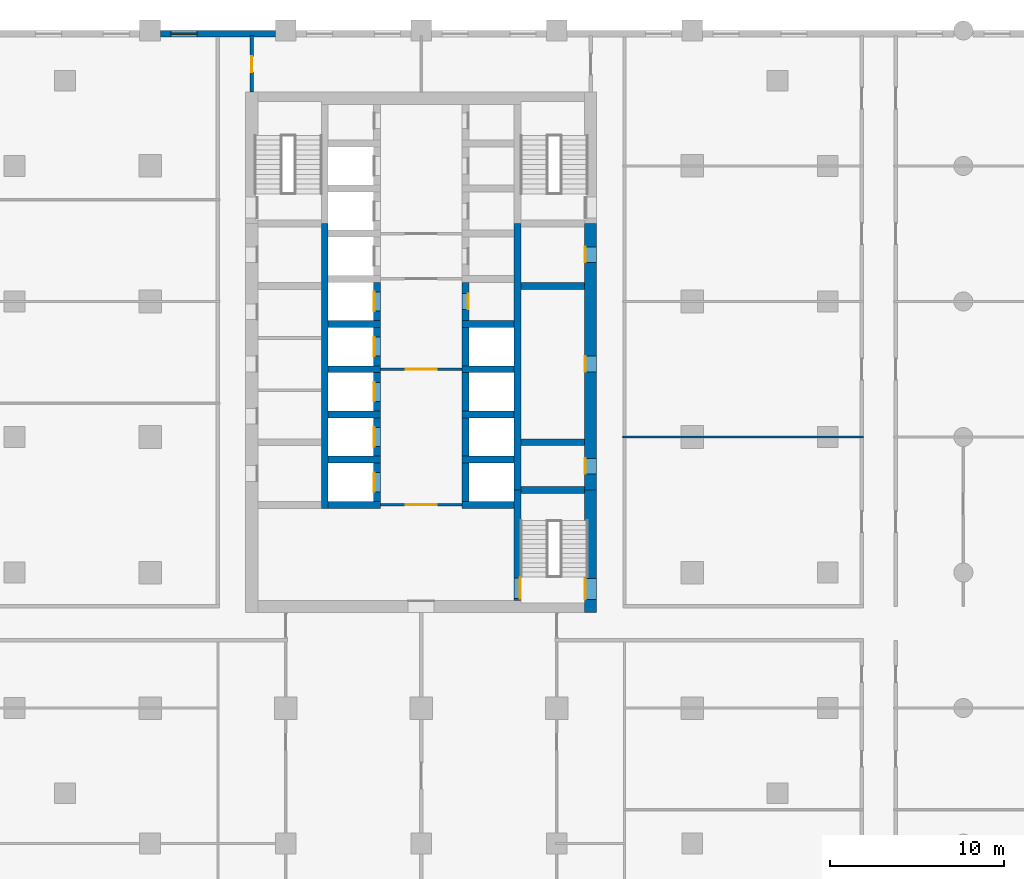
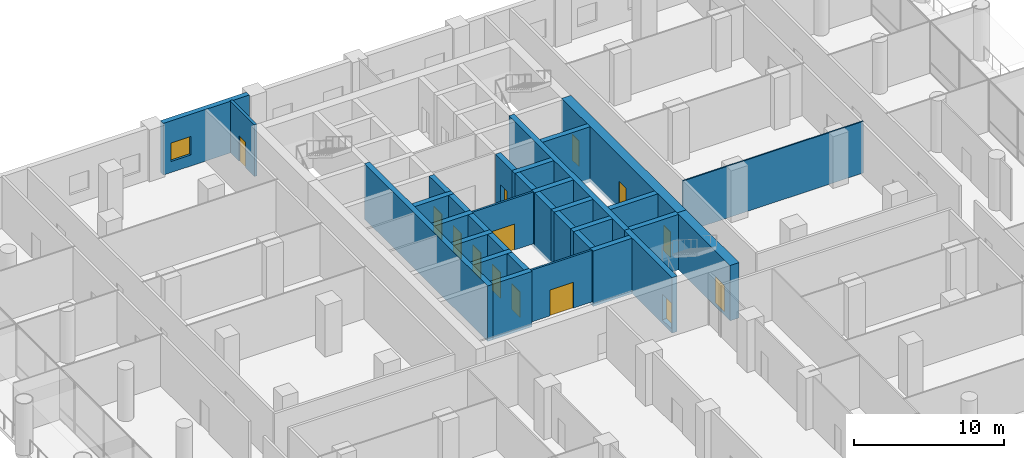
# One storey, part 12 of 24: 33 walls, 14 doors, 1 window, 15 openings.
"""IFC4 building model written with IfcOpenShell, lengths in metres."""

import ifcopenshell
import ifcopenshell.guid

model = None  # the IFC model being written
_history = None  # IfcOwnerHistory: only IFC2X3 demands one
_inside = {}  # id of a spatial element -> (the spatial element, [elements in it])
_under = {}  # id of a project, library or spatial element -> (it, [spatial elements below it])
_declared = {}  # id of a project -> (the project, [libraries it declares])
_typed = {}  # id of a type object -> (the type object, [elements of that type])
_made_of = {}  # id of a material, layer set ... -> (it, [elements and type objects made of it])


def new_model(schema):
    """Start an empty IFC model of exactly this schema.

    Asked for "IFC4X3", IfcOpenShell would pick the latest addendum, in which some entities
    have other attributes; the version numbers below select the first issue.
    IFC2X3 requires an IfcOwnerHistory on every rooted entity: one is made here for all.
    """
    global model, _history
    if schema == "IFC4X3":
        model = ifcopenshell.file(schema_version=(4, 3, 0, 0))
    else:
        model = ifcopenshell.file(schema=schema)
    _inside.clear()
    _under.clear()
    _declared.clear()
    _typed.clear()
    _made_of.clear()
    _history = None
    if model.schema == "IFC2X3":
        org = make("IfcOrganization", Name="unknown")
        user = make(
            "IfcPersonAndOrganization",
            ThePerson=make("IfcPerson", FamilyName="unknown"),
            TheOrganization=org,
        )
        app = make(
            "IfcApplication",
            ApplicationDeveloper=org,
            Version="unknown",
            ApplicationFullName="unknown",
            ApplicationIdentifier="unknown",
        )
        _history = make(
            "IfcOwnerHistory",
            OwningUser=user,
            OwningApplication=app,
            ChangeAction="ADDED",
            CreationDate=0,
        )
    return model


def make(cls, **values):
    """One entity of the class cls with the attributes given. An attribute that is None is left unset."""
    return model.create_entity(
        cls, **{name: value for name, value in values.items() if value is not None}
    )


def rooted(cls, **values):
    """An entity with a GlobalId (a new one), such as an element, a storey or a relation."""
    return make(cls, GlobalId=ifcopenshell.guid.new(), OwnerHistory=_history, **values)


def si_unit(unit_type, name, prefix=None):
    """IfcSIUnit, for example si_unit("LENGTHUNIT", "METRE", prefix="MILLI")."""
    return make("IfcSIUnit", UnitType=unit_type, Prefix=prefix, Name=name)


def assignment(units):
    """IfcUnitAssignment: the units of a project."""
    return None if units is None else make("IfcUnitAssignment", Units=units)


def point(xyz):
    """IfcCartesianPoint."""
    return None if xyz is None else make("IfcCartesianPoint", Coordinates=xyz)


def direction(xyz):
    """IfcDirection."""
    return None if xyz is None else make("IfcDirection", DirectionRatios=xyz)


def frame(location, z_axis=None, x_axis=None):
    """IfcAxis2Placement3D, a coordinate frame: its origin and axes. An axis left out is left unset."""
    return make(
        "IfcAxis2Placement3D",
        Location=point(location),
        Axis=direction(z_axis),
        RefDirection=direction(x_axis),
    )


def frame_2d(location, x_axis=None):
    """IfcAxis2Placement2D, a coordinate frame in the plane: its origin and x axis."""
    return make(
        "IfcAxis2Placement2D", Location=point(location), RefDirection=direction(x_axis)
    )


def origin():
    """The frame at (0, 0, 0) with its axes left unset."""
    return frame((0.0, 0.0, 0.0))


def place(relative_to, where):
    """IfcLocalPlacement: puts the frame where relative to a parent placement (None: the world)."""
    return make(
        "IfcLocalPlacement", PlacementRelTo=relative_to, RelativePlacement=where
    )


def context(
    kind, dimensions, precision=None, world=None, true_north=None, identifier=None
):
    """IfcGeometricRepresentationContext, for example the 3D "Model" context."""
    return make(
        "IfcGeometricRepresentationContext",
        ContextIdentifier=identifier,
        ContextType=kind,
        CoordinateSpaceDimension=dimensions,
        Precision=precision,
        WorldCoordinateSystem=world,
        TrueNorth=true_north,
    )


def subcontext(parent, identifier, kind, view, scale=None):
    """IfcGeometricRepresentationSubContext, for example "Body" below "Model"."""
    return make(
        "IfcGeometricRepresentationSubContext",
        ContextIdentifier=identifier,
        ContextType=kind,
        ParentContext=parent,
        TargetScale=scale,
        TargetView=view,
    )


def project(units=None, contexts=None):
    """IfcProject with its units and contexts."""
    return rooted(
        "IfcProject",
        Name="project",
        RepresentationContexts=contexts,
        UnitsInContext=assignment(units),
    )


def spatial(cls, under=None, at=None, **own):
    """A site, building, storey or space (cls), placed at a placement, below another one or the project."""
    s = rooted(cls, ObjectPlacement=at, **own)
    if under is not None:
        _under.setdefault(under.id(), (under, []))[1].append(s)
    return s


def profile(cls, at=None, kind="AREA", **sizes):
    """A parametric profile (cls). Its sizes go by their IFC names, for example OverallWidth=200.0."""
    return make(cls, ProfileType=kind, Position=at, **sizes)


def rectangle(**sizes):
    """IfcRectangleProfileDef."""
    return profile("IfcRectangleProfileDef", **sizes)


def extrude(swept, where, along, depth):
    """IfcExtrudedAreaSolid: the profile swept, set in the frame where, extruded along a direction by depth."""
    return make(
        "IfcExtrudedAreaSolid",
        SweptArea=swept,
        Position=where,
        ExtrudedDirection=direction(along),
        Depth=depth,
    )


def shape(context_of_items, identifier, shape_type, items):
    """IfcShapeRepresentation: the items that make up one representation, for example the "Body"."""
    return make(
        "IfcShapeRepresentation",
        ContextOfItems=context_of_items,
        RepresentationIdentifier=identifier,
        RepresentationType=shape_type,
        Items=items,
    )


def material(Name=None, Category=None):
    """IfcMaterial."""
    return make("IfcMaterial", Name=Name, Category=Category)


def layer(
    of_material, thickness, ventilated=None, Name=None, Category=None, Priority=None
):
    """IfcMaterialLayer: one layer of a wall or slab, of a material (None: an air gap)."""
    return make(
        "IfcMaterialLayer",
        Material=of_material,
        LayerThickness=thickness,
        IsVentilated=ventilated,
        Name=Name,
        Category=Category,
        Priority=Priority,
    )


def layer_set(layers, Name=None):
    """IfcMaterialLayerSet."""
    return make("IfcMaterialLayerSet", MaterialLayers=layers, LayerSetName=Name)


def made_of(thing, what):
    """Note that an element or type object is made of a material, layer set ...; save() writes the relation."""
    if what is not None:
        _made_of.setdefault(what.id(), (what, []))[1].append(thing)
    return thing


def type_object(cls, material=None, **own):
    """A type object (cls), such as IfcWallType, which elements share."""
    return made_of(rooted(cls, **own), material)


def element(
    cls,
    number,
    at=None,
    inside=None,
    cuts=None,
    type_object=None,
    material=None,
    context=None,
    identifier="Body",
    shape_type=None,
    held_by="IfcProductDefinitionShape",
    body=None,
    shapes=None,
    **own,
):
    """One element of the class cls, such as IfcWall. Its Tag is "e" and its number.

    at: its placement. inside: the storey or other place that contains it. cuts: it is an
    opening in that element (IfcRelVoidsElement). A single representation is given by context,
    identifier, shape_type and body (its items); several are given by shapes. held_by: the class
    of the entity that holds the representations. save() writes the other relations.
    """
    e = rooted(cls, Tag="e%d" % number, ObjectPlacement=at, **own)
    if body is not None:
        shapes = [shape(context, identifier, shape_type, body)]
    if shapes is not None:
        e.Representation = make(held_by, Representations=shapes)
    if inside is not None:
        _inside.setdefault(inside.id(), (inside, []))[1].append(e)
    if cuts is not None:
        rooted(
            "IfcRelVoidsElement", RelatingBuildingElement=cuts, RelatedOpeningElement=e
        )
    if type_object is not None:
        _typed.setdefault(type_object.id(), (type_object, []))[1].append(e)
    return made_of(e, material)


def fill(opening, filler):
    """IfcRelFillsElement: the door or window that sits in an opening."""
    return rooted(
        "IfcRelFillsElement",
        RelatingOpeningElement=opening,
        RelatedBuildingElement=filler,
    )


def aggregate(whole, parts):
    """IfcRelAggregates: a whole, such as a stair, and the parts it consists of."""
    return rooted("IfcRelAggregates", RelatingObject=whole, RelatedObjects=parts)


def save(model, path):
    """Write the relations noted so far, then the file.

    IfcRelAggregates (storeys below a building ...), IfcRelContainedInSpatialStructure (elements
    in a storey), IfcRelDefinesByType, IfcRelAssociatesMaterial and IfcRelDeclares: one each for
    every whole, place, type object, material and project.
    """
    for whole, parts in _under.values():
        aggregate(whole, parts)
    for where, things in _inside.values():
        rooted(
            "IfcRelContainedInSpatialStructure",
            RelatedElements=things,
            RelatingStructure=where,
        )
    for kind, things in _typed.values():
        rooted("IfcRelDefinesByType", RelatedObjects=things, RelatingType=kind)
    for what, things in _made_of.values():
        rooted("IfcRelAssociatesMaterial", RelatedObjects=things, RelatingMaterial=what)
    for by, libraries in _declared.values():
        rooted("IfcRelDeclares", RelatingContext=by, RelatedDefinitions=libraries)
    model.write(path)


model = new_model("IFC4")

# Units and contexts
model_context = context("Model", 3, precision=1e-05, world=origin(), true_north=direction((0.0, 1.0)))
body_context = subcontext(model_context, "Body", "Model", "MODEL_VIEW")
ifc_project = project(units=[si_unit("LENGTHUNIT", "METRE"), si_unit("AREAUNIT", "SQUARE_METRE"), si_unit("VOLUMEUNIT", "CUBIC_METRE"), si_unit("PLANEANGLEUNIT", "RADIAN"), si_unit("MASSUNIT", "GRAM", prefix="KILO")], contexts=[model_context])

# Site, building, storey
site_placement = place(None, origin())
site = spatial("IfcSite", under=ifc_project, at=site_placement, CompositionType="ELEMENT")
building_placement = place(site_placement, origin())
building = spatial("IfcBuilding", under=site, at=building_placement, Name="Ludao Terraces", CompositionType="ELEMENT")
storey_placement = place(building_placement, frame((0.0, 0.0, 6.0)))
storey = spatial("IfcBuildingStorey", under=building, at=storey_placement, Name="L01", CompositionType="ELEMENT", Elevation=6.0)

# Wall, opening, door
ifc_material_1 = material(Name="Concrete C70", Category="concrete")
ifc_layer_1 = layer(ifc_material_1, 0.699951171875)
ifc_layer_set_1 = layer_set([ifc_layer_1], Name="Core wall 700 C70")
wall_type_1 = type_object("IfcWallType", Name="Core wall 700 C70", PredefinedType="SOLIDWALL", material=ifc_layer_set_1)
wall_1_placement = place(storey_placement, frame((94.75, 54.89990234375, -0.300048828125), z_axis=(0.0, 0.0, 1.0), x_axis=(0.0, 1.0, 0.0)))
wall_1 = element("IfcWall", 1, at=wall_1_placement, inside=storey, type_object=wall_type_1, Name="Core wall L01 outer-E-S3", PredefinedType="SOLIDWALL", context=body_context, shape_type="SweptSolid", body=[
    extrude(rectangle(XDim=7.050048828125, YDim=0.699951171875, at=frame_2d((3.52490234375, 0.0))), origin(), (0.0, 0.0, 1.0), 4.5),
])
opening_1_placement = place(wall_1_placement, frame((0.75, 0.0, 0.300048828125)))
opening_1 = element("IfcOpeningElement", 2, at=opening_1_placement, cuts=wall_1, Name="Opening L01-029", PredefinedType="OPENING", context=body_context, shape_type="SweptSolid", body=[
    extrude(rectangle(XDim=1.199951171875, YDim=2.10009765625, at=frame_2d((0.60009765625, 1.050048828125))), frame((0.0, 0.35986328125, 0.0), z_axis=(0.0, -1.0, 0.0), x_axis=(1.0, 0.0, 0.0)), (0.0, 0.0, 1.0), 0.719970703125),
])
ifc_material_2 = material(Name="Steel Q235", Category="steel")
door_type_1 = type_object("IfcDoorType", Name="INT Stair door 1200", OperationType="DOUBLE_DOOR_SINGLE_SWING", PredefinedType="DOOR", material=ifc_material_2)
door_1_placement = place(opening_1_placement, origin())
door_1 = element("IfcDoor", 3, at=door_1_placement, inside=storey, type_object=door_type_1, Name="DOOR 029", OperationType="DOUBLE_DOOR_SINGLE_SWING", OverallHeight=2.10009765625, OverallWidth=1.199951171875, PredefinedType="DOOR", context=body_context, shape_type="SweptSolid", body=[
    extrude(rectangle(XDim=1.199951171875, YDim=2.10009765625, at=frame_2d((0.60009765625, 1.050048828125))), frame((0.0, 0.3349609375, 0.0), z_axis=(0.0, -1.0, 0.0), x_axis=(1.0, 0.0, 0.0)), (0.0, 0.0, 1.0), 0.050048828125),
])
fill(opening_1, door_1)

# Wall, openings, doors
wall_2_placement = place(storey_placement, frame((94.75, 61.949951171875, -0.300048828125), z_axis=(0.0, 0.0, 1.0), x_axis=(0.0, 1.0, 0.0)))
wall_2 = element("IfcWall", 4, at=wall_2_placement, inside=storey, type_object=wall_type_1, Name="Core wall L01 outer-E", PredefinedType="SOLIDWALL", context=body_context, shape_type="SweptSolid", body=[
    extrude(rectangle(XDim=15.35009765625, YDim=0.699951171875, at=frame_2d((7.675048828125, 0.0))), origin(), (0.0, 0.0, 1.0), 4.5),
])
opening_2_placement = place(wall_2_placement, frame((0.925048828125, 0.0, 0.300048828125)))
opening_2 = element("IfcOpeningElement", 5, at=opening_2_placement, cuts=wall_2, Name="Opening L01-038", PredefinedType="OPENING", context=body_context, shape_type="SweptSolid", body=[
    extrude(rectangle(XDim=0.89990234375, YDim=2.10009765625, at=frame_2d((0.449951171875, 1.050048828125))), frame((0.0, 0.35986328125, 0.0), z_axis=(0.0, -1.0, 0.0), x_axis=(1.0, 0.0, 0.0)), (0.0, 0.0, 1.0), 0.719970703125),
])
opening_3_placement = place(wall_2_placement, frame((6.800048828125, 0.0, 0.300048828125)))
opening_3 = element("IfcOpeningElement", 6, at=opening_3_placement, cuts=wall_2, Name="Opening L01-046", PredefinedType="OPENING", context=body_context, shape_type="SweptSolid", body=[
    extrude(rectangle(XDim=0.89990234375, YDim=2.10009765625, at=frame_2d((0.449951171875, 1.050048828125))), frame((0.0, 0.35986328125, 0.0), z_axis=(0.0, -1.0, 0.0), x_axis=(1.0, 0.0, 0.0)), (0.0, 0.0, 1.0), 0.719970703125),
])
opening_4_placement = place(wall_2_placement, frame((13.10009765625, 0.0, 0.300048828125)))
opening_4 = element("IfcOpeningElement", 7, at=opening_4_placement, cuts=wall_2, Name="Opening L01-057", PredefinedType="OPENING", context=body_context, shape_type="SweptSolid", body=[
    extrude(rectangle(XDim=0.89990234375, YDim=2.10009765625, at=frame_2d((0.449951171875, 1.050048828125))), frame((0.0, 0.35986328125, 0.0), z_axis=(0.0, -1.0, 0.0), x_axis=(1.0, 0.0, 0.0)), (0.0, 0.0, 1.0), 0.719970703125),
])
door_type_2 = type_object("IfcDoorType", Name="INT Riser door 900", OperationType="SINGLE_SWING_LEFT", PredefinedType="DOOR", material=ifc_material_2)
door_2_placement = place(opening_2_placement, origin())
door_2 = element("IfcDoor", 8, at=door_2_placement, inside=storey, type_object=door_type_2, Name="DOOR 038", OperationType="SINGLE_SWING_RIGHT", OverallHeight=2.10009765625, OverallWidth=0.89990234375, PredefinedType="DOOR", context=body_context, shape_type="SweptSolid", body=[
    extrude(rectangle(XDim=0.89990234375, YDim=2.10009765625, at=frame_2d((0.449951171875, 1.050048828125))), frame((0.0, 0.3349609375, 0.0), z_axis=(0.0, -1.0, 0.0), x_axis=(1.0, 0.0, 0.0)), (0.0, 0.0, 1.0), 0.050048828125),
])
fill(opening_2, door_2)
door_3_placement = place(opening_4_placement, origin())
door_3 = element("IfcDoor", 9, at=door_3_placement, inside=storey, type_object=door_type_2, Name="DOOR 057", OperationType="SINGLE_SWING_LEFT", OverallHeight=2.10009765625, OverallWidth=0.89990234375, PredefinedType="DOOR", context=body_context, shape_type="SweptSolid", body=[
    extrude(rectangle(XDim=0.89990234375, YDim=2.10009765625, at=frame_2d((0.449951171875, 1.050048828125))), frame((0.0, 0.3349609375, 0.0), z_axis=(0.0, -1.0, 0.0), x_axis=(1.0, 0.0, 0.0)), (0.0, 0.0, 1.0), 0.050048828125),
])
fill(opening_4, door_3)
ifc_material_3 = material(Name="Timber door leaf", Category="wood")
door_type_3 = type_object("IfcDoorType", Name="INT Room door 900", OperationType="SINGLE_SWING_LEFT", PredefinedType="DOOR", material=ifc_material_3)
door_4_placement = place(opening_3_placement, origin())
door_4 = element("IfcDoor", 10, at=door_4_placement, inside=storey, type_object=door_type_3, Name="DOOR 046", OperationType="SINGLE_SWING_RIGHT", OverallHeight=2.10009765625, OverallWidth=0.89990234375, PredefinedType="DOOR", context=body_context, shape_type="SweptSolid", body=[
    extrude(rectangle(XDim=0.89990234375, YDim=2.10009765625, at=frame_2d((0.449951171875, 1.050048828125))), frame((0.0, 0.3349609375, 0.0), z_axis=(0.0, -1.0, 0.0), x_axis=(1.0, 0.0, 0.0)), (0.0, 0.0, 1.0), 0.050048828125),
])
fill(opening_3, door_4)

# Wall, opening, window
ifc_material_4 = material(Name="Granite cladding", Category="masonry")
ifc_layer_2 = layer(ifc_material_4, 0.06005859375, Category="stone")
ifc_material_5 = material(Name="Mineral wool")
ifc_layer_3 = layer(ifc_material_5, 0.06005859375)
ifc_material_6 = material(Name="Concrete C40", Category="concrete")
ifc_layer_4 = layer(ifc_material_6, 0.260009765625, Category="concrete")
ifc_layer_set_2 = layer_set([ifc_layer_2, ifc_layer_3, ifc_layer_4], Name="ENV Stone-clad wall 380")
wall_type_2 = type_object("IfcWallType", Name="ENV Stone-clad wall 380", PredefinedType="SOLIDWALL", material=ifc_layer_set_2)
wall_3_placement = place(storey_placement, frame((70.0, 88.2099609375, 0.0), z_axis=(0.0, 0.0, 1.0), x_axis=(1.0, 0.0, 0.0)))
wall_3 = element("IfcWall", 11, at=wall_3_placement, inside=storey, type_object=wall_type_2, Name="EW-L01-N3", PredefinedType="SOLIDWALL", context=body_context, shape_type="SweptSolid", body=[
    extrude(rectangle(XDim=6.60009765625, YDim=0.3798828125, at=frame_2d((3.300048828125, 0.0))), origin(), (0.0, 0.0, 1.0), 4.199951171875),
])
opening_5_placement = place(wall_3_placement, frame((0.60009765625, 0.0, 0.89990234375)))
opening_5 = element("IfcOpeningElement", 12, at=opening_5_placement, cuts=wall_3, Name="Opening W5", PredefinedType="OPENING", context=body_context, shape_type="SweptSolid", body=[
    extrude(rectangle(XDim=1.5, YDim=1.5, at=frame_2d((0.75, 0.75))), frame((0.0, 0.199951171875, 0.0), z_axis=(0.0, -1.0, 0.0), x_axis=(1.0, 0.0, 0.0)), (0.0, 0.0, 1.0), 0.39990234375),
])
ifc_material_7 = material(Name="Clear glass in aluminium frame", Category="aluminium")
ifc_layer_5 = layer(ifc_material_7, 0.06005859375)
ifc_layer_set_3 = layer_set([ifc_layer_5], Name="ENV Window W5 1500x1500")
window_type = type_object("IfcWindowType", Name="ENV Window W5 1500x1500", PartitioningType="SINGLE_PANEL", PredefinedType="WINDOW", material=ifc_layer_set_3)
window_placement = place(opening_5_placement, origin())
window = element("IfcWindow", 13, at=window_placement, inside=storey, type_object=window_type, Name="W-L01-N3-1", OverallHeight=1.5, OverallWidth=1.5, PartitioningType="SINGLE_PANEL", PredefinedType="WINDOW", context=body_context, shape_type="SweptSolid", body=[
    extrude(rectangle(XDim=1.5, YDim=1.5, at=frame_2d((0.75, 0.75))), frame((0.0, 0.030029296875, 0.0), z_axis=(0.0, -1.0, 0.0), x_axis=(1.0, 0.0, 0.0)), (0.0, 0.0, 1.0), 0.06005859375),
])
fill(opening_5, window)

# Wall, opening, door
ifc_material_8 = material(Name="Fire-rated gypsum plasterboard", Category="gypsum")
ifc_layer_6 = layer(ifc_material_8, 0.012451171875, Category="gypsum")
ifc_layer_7 = layer(ifc_material_5, 0.10009765625, Name="insulation")
ifc_layer_8 = layer(ifc_material_2, 0.02490234375, Name="stud")
ifc_layer_9 = layer(ifc_material_8, 0.012451171875, Category="gypsum")
ifc_layer_set_4 = layer_set([ifc_layer_6, ifc_layer_7, ifc_layer_8, ifc_layer_9], Name="INT Core partition 150")
wall_type_3 = type_object("IfcWallType", Name="INT Core partition 150", PredefinedType="PARTITIONING", material=ifc_layer_set_4)
wall_4_placement = place(storey_placement, frame((82.650146484375, 61.10009765625, 0.0), z_axis=(0.0, 0.0, 1.0), x_axis=(1.0, 0.0, 0.0)))
wall_4 = element("IfcWall", 14, at=wall_4_placement, inside=storey, type_object=wall_type_3, Name="PW-L01-PW025", PredefinedType="PARTITIONING", context=body_context, shape_type="SweptSolid", body=[
    extrude(rectangle(XDim=4.699951171875, YDim=0.14990234375, at=frame_2d((2.35009765625, 0.0))), origin(), (0.0, 0.0, 1.0), 4.199951171875),
])
opening_6_placement = place(wall_4_placement, frame((1.449951171875, 0.0, 0.0)))
opening_6 = element("IfcOpeningElement", 15, at=opening_6_placement, cuts=wall_4, Name="Opening L01-034", PredefinedType="OPENING", context=body_context, shape_type="SweptSolid", body=[
    extrude(rectangle(XDim=1.800048828125, YDim=2.10009765625, at=frame_2d((0.89990234375, 1.050048828125))), frame((0.0, 0.0849609375, 0.0), z_axis=(0.0, -1.0, 0.0), x_axis=(1.0, 0.0, 0.0)), (0.0, 0.0, 1.0), 0.169921875),
])
door_type_4 = type_object("IfcDoorType", Name="INT Fire lobby door 1800", OperationType="DOUBLE_DOOR_SINGLE_SWING", PredefinedType="DOOR", material=ifc_material_2)
door_5_placement = place(opening_6_placement, origin())
door_5 = element("IfcDoor", 16, at=door_5_placement, inside=storey, type_object=door_type_4, Name="DOOR 034", OperationType="DOUBLE_DOOR_SINGLE_SWING", OverallHeight=2.10009765625, OverallWidth=1.800048828125, PredefinedType="DOOR", context=body_context, shape_type="SweptSolid", body=[
    extrude(rectangle(XDim=1.800048828125, YDim=2.10009765625, at=frame_2d((0.89990234375, 1.050048828125))), frame((0.0, 0.02490234375, 0.0), z_axis=(0.0, -1.0, 0.0), x_axis=(1.0, 0.0, 0.0)), (0.0, 0.0, 1.0), 0.050048828125),
])
fill(opening_6, door_5)

wall_5_placement = place(storey_placement, frame((82.650146484375, 68.89990234375, 0.0), z_axis=(0.0, 0.0, 1.0), x_axis=(1.0, 0.0, 0.0)))
wall_5 = element("IfcWall", 17, at=wall_5_placement, inside=storey, type_object=wall_type_3, Name="PW-L01-PW033", PredefinedType="PARTITIONING", context=body_context, shape_type="SweptSolid", body=[
    extrude(rectangle(XDim=4.699951171875, YDim=0.14990234375, at=frame_2d((2.35009765625, 0.0))), origin(), (0.0, 0.0, 1.0), 4.199951171875),
])
opening_7_placement = place(wall_5_placement, frame((1.449951171875, 0.0, 0.0)))
opening_7 = element("IfcOpeningElement", 18, at=opening_7_placement, cuts=wall_5, Name="Opening L01-042", PredefinedType="OPENING", context=body_context, shape_type="SweptSolid", body=[
    extrude(rectangle(XDim=1.800048828125, YDim=2.10009765625, at=frame_2d((0.89990234375, 1.050048828125))), frame((0.0, 0.0849609375, 0.0), z_axis=(0.0, -1.0, 0.0), x_axis=(1.0, 0.0, 0.0)), (0.0, 0.0, 1.0), 0.169921875),
])
door_6_placement = place(opening_7_placement, origin())
door_6 = element("IfcDoor", 19, at=door_6_placement, inside=storey, type_object=door_type_4, Name="DOOR 042", OperationType="DOUBLE_DOOR_SINGLE_SWING", OverallHeight=2.10009765625, OverallWidth=1.800048828125, PredefinedType="DOOR", context=body_context, shape_type="SweptSolid", body=[
    extrude(rectangle(XDim=1.800048828125, YDim=2.10009765625, at=frame_2d((0.89990234375, 1.050048828125))), frame((0.0, 0.02490234375, 0.0), z_axis=(0.0, -1.0, 0.0), x_axis=(1.0, 0.0, 0.0)), (0.0, 0.0, 1.0), 0.050048828125),
])
fill(opening_7, door_6)

ifc_material_9 = material(Name="Autoclaved aerated concrete block B06 A3.5", Category="concrete")
ifc_layer_10 = layer(ifc_material_9, 0.199951171875)
ifc_layer_set_5 = layer_set([ifc_layer_10], Name="INT Entrance wall 200")
wall_type_4 = type_object("IfcWallType", Name="INT Entrance wall 200", PredefinedType="PARTITIONING", material=ifc_layer_set_5)
wall_6_placement = place(storey_placement, frame((75.25, 84.85009765625, 0.0), z_axis=(0.0, 0.0, 1.0), x_axis=(0.0, 1.0, 0.0)))
wall_6 = element("IfcWall", 20, at=wall_6_placement, inside=storey, type_object=wall_type_4, Name="PW-L01-PW056", PredefinedType="PARTITIONING", context=body_context, shape_type="SweptSolid", body=[
    extrude(rectangle(XDim=3.25, YDim=0.199951171875, at=frame_2d((1.625, 0.0))), origin(), (0.0, 0.0, 1.0), 4.199951171875),
])
opening_8_placement = place(wall_6_placement, frame((1.14990234375, 0.0, 0.0)))
opening_8 = element("IfcOpeningElement", 21, at=opening_8_placement, cuts=wall_6, Name="Opening L01-075", PredefinedType="OPENING", context=body_context, shape_type="SweptSolid", body=[
    extrude(rectangle(XDim=0.89990234375, YDim=2.10009765625, at=frame_2d((0.449951171875, 1.050048828125))), frame((0.0, 0.10986328125, 0.0), z_axis=(0.0, -1.0, 0.0), x_axis=(1.0, 0.0, 0.0)), (0.0, 0.0, 1.0), 0.219970703125),
])
door_7_placement = place(opening_8_placement, origin())
door_7 = element("IfcDoor", 22, at=door_7_placement, inside=storey, type_object=door_type_3, Name="DOOR 075", OperationType="SINGLE_SWING_RIGHT", OverallHeight=2.10009765625, OverallWidth=0.89990234375, PredefinedType="DOOR", context=body_context, shape_type="SweptSolid", body=[
    extrude(rectangle(XDim=0.89990234375, YDim=2.10009765625, at=frame_2d((0.449951171875, 1.050048828125))), frame((0.0, 0.02490234375, 0.0), z_axis=(0.0, -1.0, 0.0), x_axis=(1.0, 0.0, 0.0)), (0.0, 0.0, 1.0), 0.050048828125),
])
fill(opening_8, door_7)

# Walls
ifc_material_10 = material(Name="Gypsum plasterboard", Category="gypsum")
ifc_layer_11 = layer(ifc_material_10, 0.012451171875, Category="gypsum")
ifc_layer_12 = layer(ifc_material_5, 0.06005859375, Name="insulation")
ifc_layer_13 = layer(ifc_material_2, 0.014892578125, Name="stud")
ifc_layer_14 = layer(ifc_material_10, 0.012451171875, Category="gypsum")
ifc_layer_set_6 = layer_set([ifc_layer_11, ifc_layer_12, ifc_layer_13, ifc_layer_14], Name="INT Partition 100")
wall_type_5 = type_object("IfcWallType", Name="INT Partition 100", PredefinedType="PARTITIONING", material=ifc_layer_set_6)
wall_7_placement = place(storey_placement, frame((96.60009765625, 65.0, 0.0), z_axis=(0.0, 0.0, 1.0), x_axis=(1.0, 0.0, 0.0)))
element("IfcWall", 23, at=wall_7_placement, inside=storey, type_object=wall_type_5, Name="PW-L01-PW026", PredefinedType="PARTITIONING", context=body_context, shape_type="SweptSolid", body=[
    extrude(rectangle(XDim=13.85009765625, YDim=0.10009765625, at=frame_2d((6.925048828125, 0.0))), origin(), (0.0, 0.0, 1.0), 4.199951171875),
])
ifc_material_11 = material(Name="Concrete C60", Category="concrete")
ifc_layer_15 = layer(ifc_material_11, 0.39990234375)
ifc_layer_set_7 = layer_set([ifc_layer_15], Name="Shaft wall 400 C60")
wall_type_6 = type_object("IfcWallType", Name="Shaft wall 400 C60", PredefinedType="SOLIDWALL", material=ifc_layer_set_7)
wall_8_placement = place(storey_placement, frame((79.449951171875, 60.89990234375, -0.300048828125), z_axis=(0.0, 0.0, 1.0), x_axis=(0.0, 1.0, 0.0)))
element("IfcWall", 24, at=wall_8_placement, inside=storey, type_object=wall_type_6, Name="Core wall L01 back-W", PredefinedType="SOLIDWALL", context=body_context, shape_type="SweptSolid", body=[
    extrude(rectangle(XDim=16.400146484375, YDim=0.39990234375, at=frame_2d((8.2001953125, 0.0))), origin(), (0.0, 0.0, 1.0), 4.5),
])

# Wall, opening, door
wall_9_placement = place(storey_placement, frame((90.550048828125, 55.60009765625, -0.300048828125), z_axis=(0.0, 0.0, 1.0), x_axis=(0.0, 1.0, 0.0)))
wall_9 = element("IfcWall", 25, at=wall_9_placement, inside=storey, type_object=wall_type_6, Name="Core wall L01 back-E-S3", PredefinedType="SOLIDWALL", context=body_context, shape_type="SweptSolid", body=[
    extrude(rectangle(XDim=6.349853515625, YDim=0.39990234375, at=frame_2d((3.1748046875, 0.0))), origin(), (0.0, 0.0, 1.0), 4.5),
])
opening_9_placement = place(wall_9_placement, frame((0.10009765625, 0.0, 0.300048828125)))
opening_9 = element("IfcOpeningElement", 26, at=opening_9_placement, cuts=wall_9, Name="Opening L01-028", PredefinedType="OPENING", context=body_context, shape_type="SweptSolid", body=[
    extrude(rectangle(XDim=1.199951171875, YDim=2.10009765625, at=frame_2d((0.60009765625, 1.050048828125))), frame((0.0, 0.2099609375, 0.0), z_axis=(0.0, -1.0, 0.0), x_axis=(1.0, 0.0, 0.0)), (0.0, 0.0, 1.0), 0.419921875),
])
door_8_placement = place(opening_9_placement, origin())
door_8 = element("IfcDoor", 27, at=door_8_placement, inside=storey, type_object=door_type_1, Name="DOOR 028", OperationType="DOUBLE_DOOR_SINGLE_SWING", OverallHeight=2.10009765625, OverallWidth=1.199951171875, PredefinedType="DOOR", context=body_context, shape_type="SweptSolid", body=[
    extrude(rectangle(XDim=1.199951171875, YDim=2.10009765625, at=frame_2d((0.60009765625, 1.050048828125))), frame((0.0, -0.134765625, 0.0), z_axis=(0.0, -1.0, 0.0), x_axis=(1.0, 0.0, 0.0)), (0.0, 0.0, 1.0), 0.050048828125),
])
fill(opening_9, door_8)

# Walls
wall_10_placement = place(storey_placement, frame((90.550048828125, 61.949951171875, -0.300048828125), z_axis=(0.0, 0.0, 1.0), x_axis=(0.0, 1.0, 0.0)))
element("IfcWall", 28, at=wall_10_placement, inside=storey, type_object=wall_type_6, Name="Core wall L01 back-E", PredefinedType="SOLIDWALL", context=body_context, shape_type="SweptSolid", body=[
    extrude(rectangle(XDim=15.35009765625, YDim=0.39990234375, at=frame_2d((7.675048828125, 0.0))), origin(), (0.0, 0.0, 1.0), 4.5),
])
wall_11_placement = place(storey_placement, frame((79.64990234375, 61.10009765625, -0.300048828125), z_axis=(0.0, 0.0, 1.0), x_axis=(1.0, 0.0, 0.0)))
element("IfcWall", 29, at=wall_11_placement, inside=storey, type_object=wall_type_6, Name="Core wall L01 div-W1", PredefinedType="SOLIDWALL", context=body_context, shape_type="SweptSolid", body=[
    extrude(rectangle(XDim=3.0, YDim=0.39990234375, at=frame_2d((1.5, 0.0))), origin(), (0.0, 0.0, 1.0), 4.5),
])

# Wall, opening, door
wall_12_placement = place(storey_placement, frame((82.449951171875, 61.300048828125, -0.300048828125), z_axis=(0.0, 0.0, 1.0), x_axis=(0.0, 1.0, 0.0)))
wall_12 = element("IfcWall", 30, at=wall_12_placement, inside=storey, type_object=wall_type_6, Name="Core wall L01 front-W1", PredefinedType="SOLIDWALL", context=body_context, shape_type="SweptSolid", body=[
    extrude(rectangle(XDim=2.199951171875, YDim=0.39990234375, at=frame_2d((1.10009765625, 0.0))), origin(), (0.0, 0.0, 1.0), 4.5),
])
opening_10_placement = place(wall_12_placement, frame((0.550048828125, 0.0, 0.300048828125)))
opening_10 = element("IfcOpeningElement", 31, at=opening_10_placement, cuts=wall_12, Name="Opening LD-LA1", PredefinedType="OPENING", context=body_context, shape_type="SweptSolid", body=[
    extrude(rectangle(XDim=1.10009765625, YDim=2.10009765625, at=frame_2d((0.550048828125, 1.050048828125))), frame((0.0, 0.2099609375, 0.0), z_axis=(0.0, -1.0, 0.0), x_axis=(1.0, 0.0, 0.0)), (0.0, 0.0, 1.0), 0.419921875),
])
ifc_material_12 = material(Name="Stainless steel 304", Category="steel")
door_type_5 = type_object("IfcDoorType", Name="INT Lift landing door 1100", OperationType="SLIDING_TO_LEFT", PredefinedType="DOOR", material=ifc_material_12)
door_9_placement = place(opening_10_placement, origin())
door_9 = element("IfcDoor", 32, at=door_9_placement, inside=storey, type_object=door_type_5, Name="LANDING DOOR LA1 L01", OperationType="SLIDING_TO_RIGHT", OverallHeight=2.10009765625, OverallWidth=1.10009765625, PredefinedType="DOOR", context=body_context, shape_type="SweptSolid", body=[
    extrude(rectangle(XDim=1.10009765625, YDim=2.10009765625, at=frame_2d((0.550048828125, 1.050048828125))), frame((0.0, 0.18505859375, 0.0), z_axis=(0.0, -1.0, 0.0), x_axis=(1.0, 0.0, 0.0)), (0.0, 0.0, 1.0), 0.050048828125),
])
fill(opening_10, door_9)

# Wall
wall_13_placement = place(storey_placement, frame((79.64990234375, 63.699951171875, -0.300048828125), z_axis=(0.0, 0.0, 1.0), x_axis=(1.0, 0.0, 0.0)))
element("IfcWall", 33, at=wall_13_placement, inside=storey, type_object=wall_type_6, Name="Core wall L01 div-W2", PredefinedType="SOLIDWALL", context=body_context, shape_type="SweptSolid", body=[
    extrude(rectangle(XDim=3.0, YDim=0.39990234375, at=frame_2d((1.5, 0.0))), origin(), (0.0, 0.0, 1.0), 4.5),
])

# Wall, opening, door
wall_14_placement = place(storey_placement, frame((82.449951171875, 63.89990234375, -0.300048828125), z_axis=(0.0, 0.0, 1.0), x_axis=(0.0, 1.0, 0.0)))
wall_14 = element("IfcWall", 34, at=wall_14_placement, inside=storey, type_object=wall_type_6, Name="Core wall L01 front-W2", PredefinedType="SOLIDWALL", context=body_context, shape_type="SweptSolid", body=[
    extrude(rectangle(XDim=2.2001953125, YDim=0.39990234375, at=frame_2d((1.10009765625, 0.0))), origin(), (0.0, 0.0, 1.0), 4.5),
])
opening_11_placement = place(wall_14_placement, frame((0.550048828125, 0.0, 0.300048828125)))
opening_11 = element("IfcOpeningElement", 35, at=opening_11_placement, cuts=wall_14, Name="Opening LD-LA2", PredefinedType="OPENING", context=body_context, shape_type="SweptSolid", body=[
    extrude(rectangle(XDim=1.10009765625, YDim=2.10009765625, at=frame_2d((0.550048828125, 1.050048828125))), frame((0.0, 0.2099609375, 0.0), z_axis=(0.0, -1.0, 0.0), x_axis=(1.0, 0.0, 0.0)), (0.0, 0.0, 1.0), 0.419921875),
])
door_10_placement = place(opening_11_placement, origin())
door_10 = element("IfcDoor", 36, at=door_10_placement, inside=storey, type_object=door_type_5, Name="LANDING DOOR LA2 L01", OperationType="SLIDING_TO_RIGHT", OverallHeight=2.10009765625, OverallWidth=1.10009765625, PredefinedType="DOOR", context=body_context, shape_type="SweptSolid", body=[
    extrude(rectangle(XDim=1.10009765625, YDim=2.10009765625, at=frame_2d((0.550048828125, 1.050048828125))), frame((0.0, 0.18505859375, 0.0), z_axis=(0.0, -1.0, 0.0), x_axis=(1.0, 0.0, 0.0)), (0.0, 0.0, 1.0), 0.050048828125),
])
fill(opening_11, door_10)

# Wall
wall_15_placement = place(storey_placement, frame((79.64990234375, 66.300048828125, -0.300048828125), z_axis=(0.0, 0.0, 1.0), x_axis=(1.0, 0.0, 0.0)))
element("IfcWall", 37, at=wall_15_placement, inside=storey, type_object=wall_type_6, Name="Core wall L01 div-W3", PredefinedType="SOLIDWALL", context=body_context, shape_type="SweptSolid", body=[
    extrude(rectangle(XDim=3.0, YDim=0.39990234375, at=frame_2d((1.5, 0.0))), origin(), (0.0, 0.0, 1.0), 4.5),
])

# Wall, opening, door
wall_16_placement = place(storey_placement, frame((82.449951171875, 66.5, -0.300048828125), z_axis=(0.0, 0.0, 1.0), x_axis=(0.0, 1.0, 0.0)))
wall_16 = element("IfcWall", 38, at=wall_16_placement, inside=storey, type_object=wall_type_6, Name="Core wall L01 front-W3", PredefinedType="SOLIDWALL", context=body_context, shape_type="SweptSolid", body=[
    extrude(rectangle(XDim=2.199951171875, YDim=0.39990234375, at=frame_2d((1.10009765625, 0.0))), origin(), (0.0, 0.0, 1.0), 4.5),
])
opening_12_placement = place(wall_16_placement, frame((0.550048828125, 0.0, 0.300048828125)))
opening_12 = element("IfcOpeningElement", 39, at=opening_12_placement, cuts=wall_16, Name="Opening LD-LA3", PredefinedType="OPENING", context=body_context, shape_type="SweptSolid", body=[
    extrude(rectangle(XDim=1.10009765625, YDim=2.10009765625, at=frame_2d((0.550048828125, 1.050048828125))), frame((0.0, 0.2099609375, 0.0), z_axis=(0.0, -1.0, 0.0), x_axis=(1.0, 0.0, 0.0)), (0.0, 0.0, 1.0), 0.419921875),
])
door_11_placement = place(opening_12_placement, origin())
door_11 = element("IfcDoor", 40, at=door_11_placement, inside=storey, type_object=door_type_5, Name="LANDING DOOR LA3 L01", OperationType="SLIDING_TO_RIGHT", OverallHeight=2.10009765625, OverallWidth=1.10009765625, PredefinedType="DOOR", context=body_context, shape_type="SweptSolid", body=[
    extrude(rectangle(XDim=1.10009765625, YDim=2.10009765625, at=frame_2d((0.550048828125, 1.050048828125))), frame((0.0, 0.18505859375, 0.0), z_axis=(0.0, -1.0, 0.0), x_axis=(1.0, 0.0, 0.0)), (0.0, 0.0, 1.0), 0.050048828125),
])
fill(opening_12, door_11)

# Wall
wall_17_placement = place(storey_placement, frame((79.64990234375, 68.89990234375, -0.300048828125), z_axis=(0.0, 0.0, 1.0), x_axis=(1.0, 0.0, 0.0)))
element("IfcWall", 41, at=wall_17_placement, inside=storey, type_object=wall_type_6, Name="Core wall L01 div-W4", PredefinedType="SOLIDWALL", context=body_context, shape_type="SweptSolid", body=[
    extrude(rectangle(XDim=3.0, YDim=0.39990234375, at=frame_2d((1.5, 0.0))), origin(), (0.0, 0.0, 1.0), 4.5),
])

# Wall, opening, door
wall_18_placement = place(storey_placement, frame((82.449951171875, 69.10009765625, -0.300048828125), z_axis=(0.0, 0.0, 1.0), x_axis=(0.0, 1.0, 0.0)))
wall_18 = element("IfcWall", 42, at=wall_18_placement, inside=storey, type_object=wall_type_6, Name="Core wall L01 front-W4", PredefinedType="SOLIDWALL", context=body_context, shape_type="SweptSolid", body=[
    extrude(rectangle(XDim=2.199951171875, YDim=0.39990234375, at=frame_2d((1.10009765625, 0.0))), origin(), (0.0, 0.0, 1.0), 4.5),
])
opening_13_placement = place(wall_18_placement, frame((0.550048828125, 0.0, 0.300048828125)))
opening_13 = element("IfcOpeningElement", 43, at=opening_13_placement, cuts=wall_18, Name="Opening LD-LA4", PredefinedType="OPENING", context=body_context, shape_type="SweptSolid", body=[
    extrude(rectangle(XDim=1.10009765625, YDim=2.10009765625, at=frame_2d((0.550048828125, 1.050048828125))), frame((0.0, 0.2099609375, 0.0), z_axis=(0.0, -1.0, 0.0), x_axis=(1.0, 0.0, 0.0)), (0.0, 0.0, 1.0), 0.419921875),
])
door_12_placement = place(opening_13_placement, origin())
door_12 = element("IfcDoor", 44, at=door_12_placement, inside=storey, type_object=door_type_5, Name="LANDING DOOR LA4 L01", OperationType="SLIDING_TO_LEFT", OverallHeight=2.10009765625, OverallWidth=1.10009765625, PredefinedType="DOOR", context=body_context, shape_type="SweptSolid", body=[
    extrude(rectangle(XDim=1.10009765625, YDim=2.10009765625, at=frame_2d((0.550048828125, 1.050048828125))), frame((0.0, 0.18505859375, 0.0), z_axis=(0.0, -1.0, 0.0), x_axis=(1.0, 0.0, 0.0)), (0.0, 0.0, 1.0), 0.050048828125),
])
fill(opening_13, door_12)

# Wall
wall_19_placement = place(storey_placement, frame((79.64990234375, 71.5, -0.300048828125), z_axis=(0.0, 0.0, 1.0), x_axis=(1.0, 0.0, 0.0)))
element("IfcWall", 45, at=wall_19_placement, inside=storey, type_object=wall_type_6, Name="Core wall L01 div-W5", PredefinedType="SOLIDWALL", context=body_context, shape_type="SweptSolid", body=[
    extrude(rectangle(XDim=3.0, YDim=0.39990234375, at=frame_2d((1.5, 0.0))), origin(), (0.0, 0.0, 1.0), 4.5),
])

# Wall, opening, door
wall_20_placement = place(storey_placement, frame((82.449951171875, 71.699951171875, -0.300048828125), z_axis=(0.0, 0.0, 1.0), x_axis=(0.0, 1.0, 0.0)))
wall_20 = element("IfcWall", 46, at=wall_20_placement, inside=storey, type_object=wall_type_6, Name="Core wall L01 front-W5", PredefinedType="SOLIDWALL", context=body_context, shape_type="SweptSolid", body=[
    extrude(rectangle(XDim=2.199951171875, YDim=0.39990234375, at=frame_2d((1.10009765625, 0.0))), origin(), (0.0, 0.0, 1.0), 4.5),
])
opening_14_placement = place(wall_20_placement, frame((0.550048828125, 0.0, 0.300048828125)))
opening_14 = element("IfcOpeningElement", 47, at=opening_14_placement, cuts=wall_20, Name="Opening LD-LA5", PredefinedType="OPENING", context=body_context, shape_type="SweptSolid", body=[
    extrude(rectangle(XDim=1.10009765625, YDim=2.10009765625, at=frame_2d((0.550048828125, 1.050048828125))), frame((0.0, 0.2099609375, 0.0), z_axis=(0.0, -1.0, 0.0), x_axis=(1.0, 0.0, 0.0)), (0.0, 0.0, 1.0), 0.419921875),
])
door_13_placement = place(opening_14_placement, origin())
door_13 = element("IfcDoor", 48, at=door_13_placement, inside=storey, type_object=door_type_5, Name="LANDING DOOR LA5 L01", OperationType="SLIDING_TO_LEFT", OverallHeight=2.10009765625, OverallWidth=1.10009765625, PredefinedType="DOOR", context=body_context, shape_type="SweptSolid", body=[
    extrude(rectangle(XDim=1.10009765625, YDim=2.10009765625, at=frame_2d((0.550048828125, 1.050048828125))), frame((0.0, 0.18505859375, 0.0), z_axis=(0.0, -1.0, 0.0), x_axis=(1.0, 0.0, 0.0)), (0.0, 0.0, 1.0), 0.050048828125),
])
fill(opening_14, door_13)

# Walls
wall_21_placement = place(storey_placement, frame((87.35009765625, 61.10009765625, -0.300048828125), z_axis=(0.0, 0.0, 1.0), x_axis=(1.0, 0.0, 0.0)))
element("IfcWall", 49, at=wall_21_placement, inside=storey, type_object=wall_type_6, Name="Core wall L01 div-E1", PredefinedType="SOLIDWALL", context=body_context, shape_type="SweptSolid", body=[
    extrude(rectangle(XDim=3.0, YDim=0.39990234375, at=frame_2d((1.5, 0.0))), origin(), (0.0, 0.0, 1.0), 4.5),
])
wall_22_placement = place(storey_placement, frame((87.550048828125, 61.300048828125, -0.300048828125), z_axis=(0.0, 0.0, 1.0), x_axis=(0.0, 1.0, 0.0)))
element("IfcWall", 50, at=wall_22_placement, inside=storey, type_object=wall_type_6, Name="Core wall L01 front-E1", PredefinedType="SOLIDWALL", context=body_context, shape_type="SweptSolid", body=[
    extrude(rectangle(XDim=2.199951171875, YDim=0.39990234375, at=frame_2d((1.10009765625, 0.0))), origin(), (0.0, 0.0, 1.0), 4.5),
])
wall_23_placement = place(storey_placement, frame((87.35009765625, 63.699951171875, -0.300048828125), z_axis=(0.0, 0.0, 1.0), x_axis=(1.0, 0.0, 0.0)))
element("IfcWall", 51, at=wall_23_placement, inside=storey, type_object=wall_type_6, Name="Core wall L01 div-E2", PredefinedType="SOLIDWALL", context=body_context, shape_type="SweptSolid", body=[
    extrude(rectangle(XDim=3.0, YDim=0.39990234375, at=frame_2d((1.5, 0.0))), origin(), (0.0, 0.0, 1.0), 4.5),
])
wall_24_placement = place(storey_placement, frame((87.550048828125, 63.89990234375, -0.300048828125), z_axis=(0.0, 0.0, 1.0), x_axis=(0.0, 1.0, 0.0)))
element("IfcWall", 52, at=wall_24_placement, inside=storey, type_object=wall_type_6, Name="Core wall L01 front-E2", PredefinedType="SOLIDWALL", context=body_context, shape_type="SweptSolid", body=[
    extrude(rectangle(XDim=2.2001953125, YDim=0.39990234375, at=frame_2d((1.10009765625, 0.0))), origin(), (0.0, 0.0, 1.0), 4.5),
])
wall_25_placement = place(storey_placement, frame((87.35009765625, 66.300048828125, -0.300048828125), z_axis=(0.0, 0.0, 1.0), x_axis=(1.0, 0.0, 0.0)))
element("IfcWall", 53, at=wall_25_placement, inside=storey, type_object=wall_type_6, Name="Core wall L01 div-E3", PredefinedType="SOLIDWALL", context=body_context, shape_type="SweptSolid", body=[
    extrude(rectangle(XDim=3.0, YDim=0.39990234375, at=frame_2d((1.5, 0.0))), origin(), (0.0, 0.0, 1.0), 4.5),
])
wall_26_placement = place(storey_placement, frame((87.550048828125, 66.5, -0.300048828125), z_axis=(0.0, 0.0, 1.0), x_axis=(0.0, 1.0, 0.0)))
element("IfcWall", 54, at=wall_26_placement, inside=storey, type_object=wall_type_6, Name="Core wall L01 front-E3", PredefinedType="SOLIDWALL", context=body_context, shape_type="SweptSolid", body=[
    extrude(rectangle(XDim=2.199951171875, YDim=0.39990234375, at=frame_2d((1.10009765625, 0.0))), origin(), (0.0, 0.0, 1.0), 4.5),
])
wall_27_placement = place(storey_placement, frame((87.35009765625, 68.89990234375, -0.300048828125), z_axis=(0.0, 0.0, 1.0), x_axis=(1.0, 0.0, 0.0)))
element("IfcWall", 55, at=wall_27_placement, inside=storey, type_object=wall_type_6, Name="Core wall L01 div-E4", PredefinedType="SOLIDWALL", context=body_context, shape_type="SweptSolid", body=[
    extrude(rectangle(XDim=3.0, YDim=0.39990234375, at=frame_2d((1.5, 0.0))), origin(), (0.0, 0.0, 1.0), 4.5),
])
wall_28_placement = place(storey_placement, frame((87.550048828125, 69.10009765625, -0.300048828125), z_axis=(0.0, 0.0, 1.0), x_axis=(0.0, 1.0, 0.0)))
element("IfcWall", 56, at=wall_28_placement, inside=storey, type_object=wall_type_6, Name="Core wall L01 front-E4", PredefinedType="SOLIDWALL", context=body_context, shape_type="SweptSolid", body=[
    extrude(rectangle(XDim=2.199951171875, YDim=0.39990234375, at=frame_2d((1.10009765625, 0.0))), origin(), (0.0, 0.0, 1.0), 4.5),
])
wall_29_placement = place(storey_placement, frame((87.35009765625, 71.5, -0.300048828125), z_axis=(0.0, 0.0, 1.0), x_axis=(1.0, 0.0, 0.0)))
element("IfcWall", 57, at=wall_29_placement, inside=storey, type_object=wall_type_6, Name="Core wall L01 div-E5", PredefinedType="SOLIDWALL", context=body_context, shape_type="SweptSolid", body=[
    extrude(rectangle(XDim=3.0, YDim=0.39990234375, at=frame_2d((1.5, 0.0))), origin(), (0.0, 0.0, 1.0), 4.5),
])

# Wall, opening, door
wall_30_placement = place(storey_placement, frame((87.550048828125, 71.699951171875, -0.300048828125), z_axis=(0.0, 0.0, 1.0), x_axis=(0.0, 1.0, 0.0)))
wall_30 = element("IfcWall", 58, at=wall_30_placement, inside=storey, type_object=wall_type_6, Name="Core wall L01 front-E5", PredefinedType="SOLIDWALL", context=body_context, shape_type="SweptSolid", body=[
    extrude(rectangle(XDim=2.199951171875, YDim=0.39990234375, at=frame_2d((1.10009765625, 0.0))), origin(), (0.0, 0.0, 1.0), 4.5),
])
opening_15_placement = place(wall_30_placement, frame((0.64990234375, 0.0, 0.300048828125)))
opening_15 = element("IfcOpeningElement", 59, at=opening_15_placement, cuts=wall_30, Name="Opening L01-052", PredefinedType="OPENING", context=body_context, shape_type="SweptSolid", body=[
    extrude(rectangle(XDim=0.89990234375, YDim=2.10009765625, at=frame_2d((0.449951171875, 1.050048828125))), frame((0.0, 0.2099609375, 0.0), z_axis=(0.0, -1.0, 0.0), x_axis=(1.0, 0.0, 0.0)), (0.0, 0.0, 1.0), 0.419921875),
])
door_14_placement = place(opening_15_placement, origin())
door_14 = element("IfcDoor", 60, at=door_14_placement, inside=storey, type_object=door_type_3, Name="DOOR 052", OperationType="SINGLE_SWING_RIGHT", OverallHeight=2.10009765625, OverallWidth=0.89990234375, PredefinedType="DOOR", context=body_context, shape_type="SweptSolid", body=[
    extrude(rectangle(XDim=0.89990234375, YDim=2.10009765625, at=frame_2d((0.449951171875, 1.050048828125))), frame((0.0, -0.134765625, 0.0), z_axis=(0.0, -1.0, 0.0), x_axis=(1.0, 0.0, 0.0)), (0.0, 0.0, 1.0), 0.050048828125),
])
fill(opening_15, door_14)

# Walls
for number, where, z_axis, x_axis, name in (
    (61, (90.75, 61.949951171875, -0.300048828125), (0.0, 0.0, 1.0), (1.0, 0.0, 0.0), "Core wall L01 hall-E"),
    (62, (90.75, 64.699951171875, -0.300048828125), (0.0, 0.0, 1.0), (1.0, 0.0, 0.0), "Core wall L01 riser-a-E"),
    (63, (90.75, 73.699951171875, -0.300048828125), (0.0, 0.0, 1.0), (1.0, 0.0, 0.0), "Core wall L01 riser-b-E"),
):
    element("IfcWall", number, at=place(storey_placement, frame(where, z_axis=z_axis, x_axis=x_axis)), inside=storey, type_object=wall_type_6, Name=name, PredefinedType="SOLIDWALL", context=body_context, shape_type="SweptSolid", body=[
        extrude(rectangle(XDim=3.64990234375, YDim=0.39990234375, at=frame_2d((1.824951171875, 0.0))), origin(), (0.0, 0.0, 1.0), 4.5),
    ])

save(model, "model.ifc")
